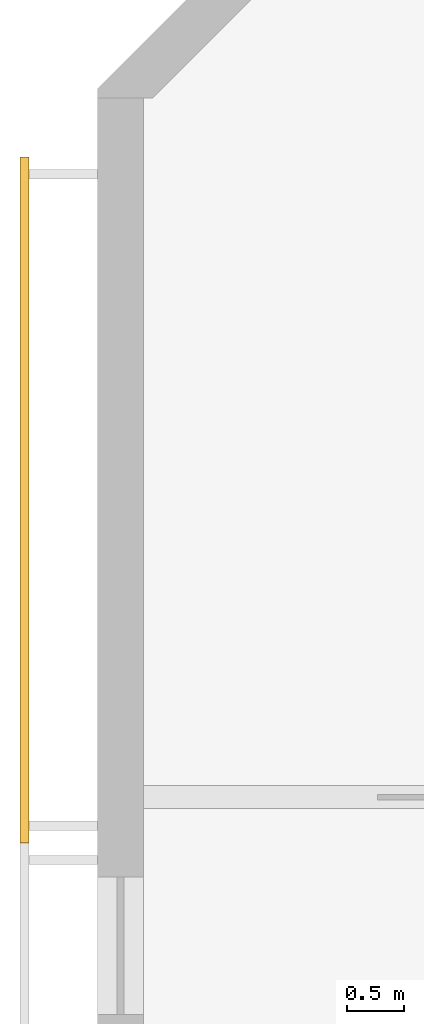
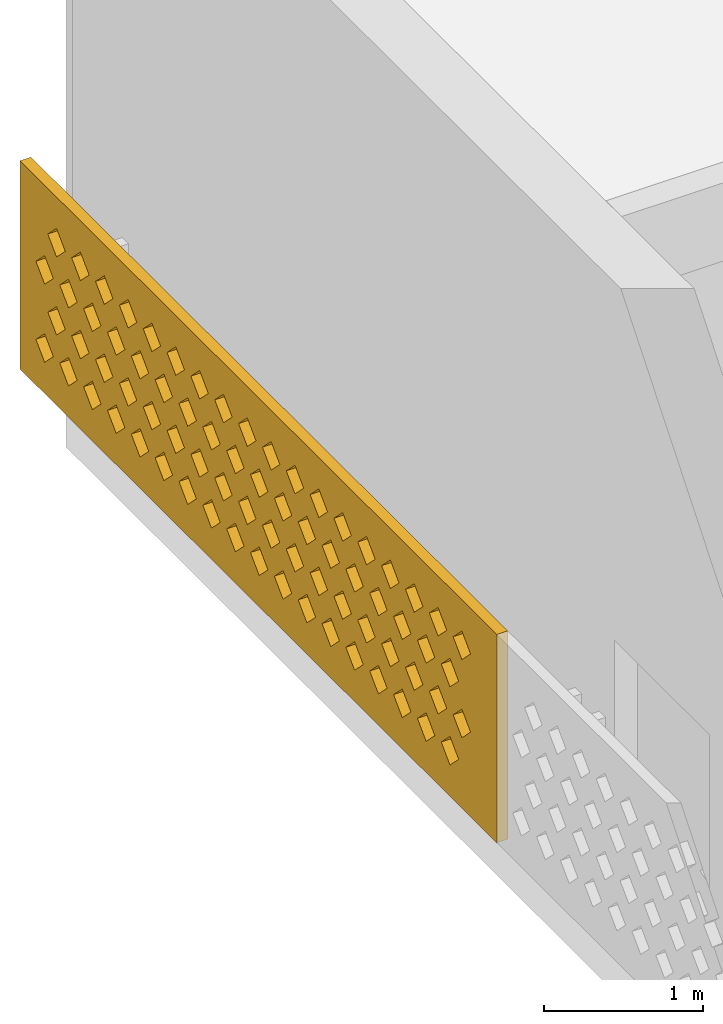
# One storey, part 16 of 18: 1 covering.
"""IFC4 building model written with IfcOpenShell, lengths in metres."""

from ifc_helpers import new_model, si_unit, direction, frame, origin, place, context, subcontext, project, spatial, polyline, outline, extrude, source, transform, mapped, material, material_profile, profile_set, type_object, element, save


model = new_model("IFC4")

# Units and contexts
model_context = context("Model", 3, precision=1e-05, world=origin(), true_north=direction((0.0, 1.0)))
body_context = subcontext(model_context, "Body", "Model", "MODEL_VIEW")
ifc_project = project(units=[si_unit("LENGTHUNIT", "METRE"), si_unit("AREAUNIT", "SQUARE_METRE"), si_unit("VOLUMEUNIT", "CUBIC_METRE"), si_unit("PLANEANGLEUNIT", "RADIAN"), si_unit("MASSUNIT", "GRAM", prefix="KILO")], contexts=[model_context])

# Site, building, storey
site_placement = place(None, origin())
site = spatial("IfcSite", under=ifc_project, at=site_placement, CompositionType="ELEMENT")
building_placement = place(site_placement, origin())
building = spatial("IfcBuilding", under=site, at=building_placement, Name="Poui Terraces", CompositionType="ELEMENT")
storey_placement = place(building_placement, frame((0.0, 0.0, 267.0)))
storey = spatial("IfcBuildingStorey", under=building, at=storey_placement, Name="L74", CompositionType="ELEMENT", Elevation=267.0)

# Covering
ifc_material = material(Name="Terracotta screen", Category="masonry")
ifc_material_profile = material_profile(ifc_material, outline(polyline([(-3.0, -0.800048828125), (3.0, -0.800048828125), (3.0, 0.800048828125), (-3.0, 0.800048828125), (-3.0, -0.800048828125)]), holes=[polyline([(-2.800048828125, -0.449951171875), (-2.68994140625, -0.56005859375), (-2.580078125, -0.449951171875), (-2.68994140625, -0.340087890625), (-2.800048828125, -0.449951171875)]), polyline([(-2.5, -0.449951171875), (-2.389892578125, -0.56005859375), (-2.280029296875, -0.449951171875), (-2.389892578125, -0.340087890625), (-2.5, -0.449951171875)]), polyline([(-2.199951171875, -0.449951171875), (-2.090087890625, -0.56005859375), (-1.97998046875, -0.449951171875), (-2.090087890625, -0.340087890625), (-2.199951171875, -0.449951171875)]), polyline([(-1.89990234375, -0.449951171875), (-1.7900390625, -0.56005859375), (-1.679931640625, -0.449951171875), (-1.7900390625, -0.340087890625), (-1.89990234375, -0.449951171875)]), polyline([(-1.60009765625, -0.449951171875), (-1.489990234375, -0.56005859375), (-1.3798828125, -0.449951171875), (-1.489990234375, -0.340087890625), (-1.60009765625, -0.449951171875)]), polyline([(-1.300048828125, -0.449951171875), (-1.18994140625, -0.56005859375), (-1.080078125, -0.449951171875), (-1.18994140625, -0.340087890625), (-1.300048828125, -0.449951171875)]), polyline([(-1.0, -0.449951171875), (-0.889892578125, -0.56005859375), (-0.780029296875, -0.449951171875), (-0.889892578125, -0.340087890625), (-1.0, -0.449951171875)]), polyline([(-0.699951171875, -0.449951171875), (-0.590087890625, -0.56005859375), (-0.47998046875, -0.449951171875), (-0.590087890625, -0.340087890625), (-0.699951171875, -0.449951171875)]), polyline([(-0.39990234375, -0.449951171875), (-0.2900390625, -0.56005859375), (-0.179931640625, -0.449951171875), (-0.2900390625, -0.340087890625), (-0.39990234375, -0.449951171875)]), polyline([(-0.10009765625, -0.449951171875), (0.010009765625, -0.56005859375), (0.1201171875, -0.449951171875), (0.010009765625, -0.340087890625), (-0.10009765625, -0.449951171875)]), polyline([(0.199951171875, -0.449951171875), (0.31005859375, -0.56005859375), (0.419921875, -0.449951171875), (0.31005859375, -0.340087890625), (0.199951171875, -0.449951171875)]), polyline([(0.5, -0.449951171875), (0.610107421875, -0.56005859375), (0.719970703125, -0.449951171875), (0.610107421875, -0.340087890625), (0.5, -0.449951171875)]), polyline([(0.800048828125, -0.449951171875), (0.909912109375, -0.56005859375), (1.02001953125, -0.449951171875), (0.909912109375, -0.340087890625), (0.800048828125, -0.449951171875)]), polyline([(1.10009765625, -0.449951171875), (1.2099609375, -0.56005859375), (1.320068359375, -0.449951171875), (1.2099609375, -0.340087890625), (1.10009765625, -0.449951171875)]), polyline([(1.39990234375, -0.449951171875), (1.510009765625, -0.56005859375), (1.6201171875, -0.449951171875), (1.510009765625, -0.340087890625), (1.39990234375, -0.449951171875)]), polyline([(1.699951171875, -0.449951171875), (1.81005859375, -0.56005859375), (1.919921875, -0.449951171875), (1.81005859375, -0.340087890625), (1.699951171875, -0.449951171875)]), polyline([(2.0, -0.449951171875), (2.110107421875, -0.56005859375), (2.219970703125, -0.449951171875), (2.110107421875, -0.340087890625), (2.0, -0.449951171875)]), polyline([(2.300048828125, -0.449951171875), (2.409912109375, -0.56005859375), (2.52001953125, -0.449951171875), (2.409912109375, -0.340087890625), (2.300048828125, -0.449951171875)]), polyline([(-2.64990234375, -0.14990234375), (-2.5400390625, -0.260009765625), (-2.429931640625, -0.14990234375), (-2.5400390625, -0.0400390625), (-2.64990234375, -0.14990234375)]), polyline([(-2.35009765625, -0.14990234375), (-2.239990234375, -0.260009765625), (-2.1298828125, -0.14990234375), (-2.239990234375, -0.0400390625), (-2.35009765625, -0.14990234375)]), polyline([(-2.050048828125, -0.14990234375), (-1.93994140625, -0.260009765625), (-1.830078125, -0.14990234375), (-1.93994140625, -0.0400390625), (-2.050048828125, -0.14990234375)]), polyline([(-1.75, -0.14990234375), (-1.639892578125, -0.260009765625), (-1.530029296875, -0.14990234375), (-1.639892578125, -0.0400390625), (-1.75, -0.14990234375)]), polyline([(-1.449951171875, -0.14990234375), (-1.340087890625, -0.260009765625), (-1.22998046875, -0.14990234375), (-1.340087890625, -0.0400390625), (-1.449951171875, -0.14990234375)]), polyline([(-1.14990234375, -0.14990234375), (-1.0400390625, -0.260009765625), (-0.929931640625, -0.14990234375), (-1.0400390625, -0.0400390625), (-1.14990234375, -0.14990234375)]), polyline([(-0.85009765625, -0.14990234375), (-0.739990234375, -0.260009765625), (-0.6298828125, -0.14990234375), (-0.739990234375, -0.0400390625), (-0.85009765625, -0.14990234375)]), polyline([(-0.550048828125, -0.14990234375), (-0.43994140625, -0.260009765625), (-0.330078125, -0.14990234375), (-0.43994140625, -0.0400390625), (-0.550048828125, -0.14990234375)]), polyline([(-0.25, -0.14990234375), (-0.139892578125, -0.260009765625), (-0.030029296875, -0.14990234375), (-0.139892578125, -0.0400390625), (-0.25, -0.14990234375)]), polyline([(0.050048828125, -0.14990234375), (0.159912109375, -0.260009765625), (0.27001953125, -0.14990234375), (0.159912109375, -0.0400390625), (0.050048828125, -0.14990234375)]), polyline([(0.35009765625, -0.14990234375), (0.4599609375, -0.260009765625), (0.570068359375, -0.14990234375), (0.4599609375, -0.0400390625), (0.35009765625, -0.14990234375)]), polyline([(0.64990234375, -0.14990234375), (0.760009765625, -0.260009765625), (0.8701171875, -0.14990234375), (0.760009765625, -0.0400390625), (0.64990234375, -0.14990234375)]), polyline([(0.949951171875, -0.14990234375), (1.06005859375, -0.260009765625), (1.169921875, -0.14990234375), (1.06005859375, -0.0400390625), (0.949951171875, -0.14990234375)]), polyline([(1.25, -0.14990234375), (1.360107421875, -0.260009765625), (1.469970703125, -0.14990234375), (1.360107421875, -0.0400390625), (1.25, -0.14990234375)]), polyline([(1.550048828125, -0.14990234375), (1.659912109375, -0.260009765625), (1.77001953125, -0.14990234375), (1.659912109375, -0.0400390625), (1.550048828125, -0.14990234375)]), polyline([(1.85009765625, -0.14990234375), (1.9599609375, -0.260009765625), (2.070068359375, -0.14990234375), (1.9599609375, -0.0400390625), (1.85009765625, -0.14990234375)]), polyline([(2.14990234375, -0.14990234375), (2.260009765625, -0.260009765625), (2.3701171875, -0.14990234375), (2.260009765625, -0.0400390625), (2.14990234375, -0.14990234375)]), polyline([(2.449951171875, -0.14990234375), (2.56005859375, -0.260009765625), (2.669921875, -0.14990234375), (2.56005859375, -0.0400390625), (2.449951171875, -0.14990234375)]), polyline([(-2.800048828125, 0.14990234375), (-2.68994140625, 0.0400390625), (-2.580078125, 0.14990234375), (-2.68994140625, 0.260009765625), (-2.800048828125, 0.14990234375)]), polyline([(-2.5, 0.14990234375), (-2.389892578125, 0.0400390625), (-2.280029296875, 0.14990234375), (-2.389892578125, 0.260009765625), (-2.5, 0.14990234375)]), polyline([(-2.199951171875, 0.14990234375), (-2.090087890625, 0.0400390625), (-1.97998046875, 0.14990234375), (-2.090087890625, 0.260009765625), (-2.199951171875, 0.14990234375)]), polyline([(-1.89990234375, 0.14990234375), (-1.7900390625, 0.0400390625), (-1.679931640625, 0.14990234375), (-1.7900390625, 0.260009765625), (-1.89990234375, 0.14990234375)]), polyline([(-1.60009765625, 0.14990234375), (-1.489990234375, 0.0400390625), (-1.3798828125, 0.14990234375), (-1.489990234375, 0.260009765625), (-1.60009765625, 0.14990234375)]), polyline([(-1.300048828125, 0.14990234375), (-1.18994140625, 0.0400390625), (-1.080078125, 0.14990234375), (-1.18994140625, 0.260009765625), (-1.300048828125, 0.14990234375)]), polyline([(-1.0, 0.14990234375), (-0.889892578125, 0.0400390625), (-0.780029296875, 0.14990234375), (-0.889892578125, 0.260009765625), (-1.0, 0.14990234375)]), polyline([(-0.699951171875, 0.14990234375), (-0.590087890625, 0.0400390625), (-0.47998046875, 0.14990234375), (-0.590087890625, 0.260009765625), (-0.699951171875, 0.14990234375)]), polyline([(-0.39990234375, 0.14990234375), (-0.2900390625, 0.0400390625), (-0.179931640625, 0.14990234375), (-0.2900390625, 0.260009765625), (-0.39990234375, 0.14990234375)]), polyline([(-0.10009765625, 0.14990234375), (0.010009765625, 0.0400390625), (0.1201171875, 0.14990234375), (0.010009765625, 0.260009765625), (-0.10009765625, 0.14990234375)]), polyline([(0.199951171875, 0.14990234375), (0.31005859375, 0.0400390625), (0.419921875, 0.14990234375), (0.31005859375, 0.260009765625), (0.199951171875, 0.14990234375)]), polyline([(0.5, 0.14990234375), (0.610107421875, 0.0400390625), (0.719970703125, 0.14990234375), (0.610107421875, 0.260009765625), (0.5, 0.14990234375)]), polyline([(0.800048828125, 0.14990234375), (0.909912109375, 0.0400390625), (1.02001953125, 0.14990234375), (0.909912109375, 0.260009765625), (0.800048828125, 0.14990234375)]), polyline([(1.10009765625, 0.14990234375), (1.2099609375, 0.0400390625), (1.320068359375, 0.14990234375), (1.2099609375, 0.260009765625), (1.10009765625, 0.14990234375)]), polyline([(1.39990234375, 0.14990234375), (1.510009765625, 0.0400390625), (1.6201171875, 0.14990234375), (1.510009765625, 0.260009765625), (1.39990234375, 0.14990234375)]), polyline([(1.699951171875, 0.14990234375), (1.81005859375, 0.0400390625), (1.919921875, 0.14990234375), (1.81005859375, 0.260009765625), (1.699951171875, 0.14990234375)]), polyline([(2.0, 0.14990234375), (2.110107421875, 0.0400390625), (2.219970703125, 0.14990234375), (2.110107421875, 0.260009765625), (2.0, 0.14990234375)]), polyline([(2.300048828125, 0.14990234375), (2.409912109375, 0.0400390625), (2.52001953125, 0.14990234375), (2.409912109375, 0.260009765625), (2.300048828125, 0.14990234375)]), polyline([(-2.64990234375, 0.449951171875), (-2.5400390625, 0.340087890625), (-2.429931640625, 0.449951171875), (-2.5400390625, 0.56005859375), (-2.64990234375, 0.449951171875)]), polyline([(-2.35009765625, 0.449951171875), (-2.239990234375, 0.340087890625), (-2.1298828125, 0.449951171875), (-2.239990234375, 0.56005859375), (-2.35009765625, 0.449951171875)]), polyline([(-2.050048828125, 0.449951171875), (-1.93994140625, 0.340087890625), (-1.830078125, 0.449951171875), (-1.93994140625, 0.56005859375), (-2.050048828125, 0.449951171875)]), polyline([(-1.75, 0.449951171875), (-1.639892578125, 0.340087890625), (-1.530029296875, 0.449951171875), (-1.639892578125, 0.56005859375), (-1.75, 0.449951171875)]), polyline([(-1.449951171875, 0.449951171875), (-1.340087890625, 0.340087890625), (-1.22998046875, 0.449951171875), (-1.340087890625, 0.56005859375), (-1.449951171875, 0.449951171875)]), polyline([(-1.14990234375, 0.449951171875), (-1.0400390625, 0.340087890625), (-0.929931640625, 0.449951171875), (-1.0400390625, 0.56005859375), (-1.14990234375, 0.449951171875)]), polyline([(-0.85009765625, 0.449951171875), (-0.739990234375, 0.340087890625), (-0.6298828125, 0.449951171875), (-0.739990234375, 0.56005859375), (-0.85009765625, 0.449951171875)]), polyline([(-0.550048828125, 0.449951171875), (-0.43994140625, 0.340087890625), (-0.330078125, 0.449951171875), (-0.43994140625, 0.56005859375), (-0.550048828125, 0.449951171875)]), polyline([(-0.25, 0.449951171875), (-0.139892578125, 0.340087890625), (-0.030029296875, 0.449951171875), (-0.139892578125, 0.56005859375), (-0.25, 0.449951171875)]), polyline([(0.050048828125, 0.449951171875), (0.159912109375, 0.340087890625), (0.27001953125, 0.449951171875), (0.159912109375, 0.56005859375), (0.050048828125, 0.449951171875)]), polyline([(0.35009765625, 0.449951171875), (0.4599609375, 0.340087890625), (0.570068359375, 0.449951171875), (0.4599609375, 0.56005859375), (0.35009765625, 0.449951171875)]), polyline([(0.64990234375, 0.449951171875), (0.760009765625, 0.340087890625), (0.8701171875, 0.449951171875), (0.760009765625, 0.56005859375), (0.64990234375, 0.449951171875)]), polyline([(0.949951171875, 0.449951171875), (1.06005859375, 0.340087890625), (1.169921875, 0.449951171875), (1.06005859375, 0.56005859375), (0.949951171875, 0.449951171875)]), polyline([(1.25, 0.449951171875), (1.360107421875, 0.340087890625), (1.469970703125, 0.449951171875), (1.360107421875, 0.56005859375), (1.25, 0.449951171875)]), polyline([(1.550048828125, 0.449951171875), (1.659912109375, 0.340087890625), (1.77001953125, 0.449951171875), (1.659912109375, 0.56005859375), (1.550048828125, 0.449951171875)]), polyline([(1.85009765625, 0.449951171875), (1.9599609375, 0.340087890625), (2.070068359375, 0.449951171875), (1.9599609375, 0.56005859375), (1.85009765625, 0.449951171875)]), polyline([(2.14990234375, 0.449951171875), (2.260009765625, 0.340087890625), (2.3701171875, 0.449951171875), (2.260009765625, 0.56005859375), (2.14990234375, 0.449951171875)]), polyline([(2.449951171875, 0.449951171875), (2.56005859375, 0.340087890625), (2.669921875, 0.449951171875), (2.56005859375, 0.56005859375), (2.449951171875, 0.449951171875)])]), Name="TERRACOTTA SOLAR SCREEN 6000X1600")
ifc_profile_set = profile_set([ifc_material_profile], Name="Terracotta screen")
covering_type = type_object("IfcCoveringType", Name="TERRACOTTA SOLAR SCREEN 6000X1600", PredefinedType="CLADDING", material=ifc_profile_set)
shared_shape = source(origin(), body_context, "Body", "SweptSolid", [
    extrude(outline(polyline([(-3.0, -0.800048828125), (3.0, -0.800048828125), (3.0, 0.800048828125), (-3.0, 0.800048828125), (-3.0, -0.800048828125)]), holes=[polyline([(-2.800048828125, -0.449951171875), (-2.68994140625, -0.56005859375), (-2.580078125, -0.449951171875), (-2.68994140625, -0.340087890625), (-2.800048828125, -0.449951171875)]), polyline([(-2.5, -0.449951171875), (-2.389892578125, -0.56005859375), (-2.280029296875, -0.449951171875), (-2.389892578125, -0.340087890625), (-2.5, -0.449951171875)]), polyline([(-2.199951171875, -0.449951171875), (-2.090087890625, -0.56005859375), (-1.97998046875, -0.449951171875), (-2.090087890625, -0.340087890625), (-2.199951171875, -0.449951171875)]), polyline([(-1.89990234375, -0.449951171875), (-1.7900390625, -0.56005859375), (-1.679931640625, -0.449951171875), (-1.7900390625, -0.340087890625), (-1.89990234375, -0.449951171875)]), polyline([(-1.60009765625, -0.449951171875), (-1.489990234375, -0.56005859375), (-1.3798828125, -0.449951171875), (-1.489990234375, -0.340087890625), (-1.60009765625, -0.449951171875)]), polyline([(-1.300048828125, -0.449951171875), (-1.18994140625, -0.56005859375), (-1.080078125, -0.449951171875), (-1.18994140625, -0.340087890625), (-1.300048828125, -0.449951171875)]), polyline([(-1.0, -0.449951171875), (-0.889892578125, -0.56005859375), (-0.780029296875, -0.449951171875), (-0.889892578125, -0.340087890625), (-1.0, -0.449951171875)]), polyline([(-0.699951171875, -0.449951171875), (-0.590087890625, -0.56005859375), (-0.47998046875, -0.449951171875), (-0.590087890625, -0.340087890625), (-0.699951171875, -0.449951171875)]), polyline([(-0.39990234375, -0.449951171875), (-0.2900390625, -0.56005859375), (-0.179931640625, -0.449951171875), (-0.2900390625, -0.340087890625), (-0.39990234375, -0.449951171875)]), polyline([(-0.10009765625, -0.449951171875), (0.010009765625, -0.56005859375), (0.1201171875, -0.449951171875), (0.010009765625, -0.340087890625), (-0.10009765625, -0.449951171875)]), polyline([(0.199951171875, -0.449951171875), (0.31005859375, -0.56005859375), (0.419921875, -0.449951171875), (0.31005859375, -0.340087890625), (0.199951171875, -0.449951171875)]), polyline([(0.5, -0.449951171875), (0.610107421875, -0.56005859375), (0.719970703125, -0.449951171875), (0.610107421875, -0.340087890625), (0.5, -0.449951171875)]), polyline([(0.800048828125, -0.449951171875), (0.909912109375, -0.56005859375), (1.02001953125, -0.449951171875), (0.909912109375, -0.340087890625), (0.800048828125, -0.449951171875)]), polyline([(1.10009765625, -0.449951171875), (1.2099609375, -0.56005859375), (1.320068359375, -0.449951171875), (1.2099609375, -0.340087890625), (1.10009765625, -0.449951171875)]), polyline([(1.39990234375, -0.449951171875), (1.510009765625, -0.56005859375), (1.6201171875, -0.449951171875), (1.510009765625, -0.340087890625), (1.39990234375, -0.449951171875)]), polyline([(1.699951171875, -0.449951171875), (1.81005859375, -0.56005859375), (1.919921875, -0.449951171875), (1.81005859375, -0.340087890625), (1.699951171875, -0.449951171875)]), polyline([(2.0, -0.449951171875), (2.110107421875, -0.56005859375), (2.219970703125, -0.449951171875), (2.110107421875, -0.340087890625), (2.0, -0.449951171875)]), polyline([(2.300048828125, -0.449951171875), (2.409912109375, -0.56005859375), (2.52001953125, -0.449951171875), (2.409912109375, -0.340087890625), (2.300048828125, -0.449951171875)]), polyline([(-2.64990234375, -0.14990234375), (-2.5400390625, -0.260009765625), (-2.429931640625, -0.14990234375), (-2.5400390625, -0.0400390625), (-2.64990234375, -0.14990234375)]), polyline([(-2.35009765625, -0.14990234375), (-2.239990234375, -0.260009765625), (-2.1298828125, -0.14990234375), (-2.239990234375, -0.0400390625), (-2.35009765625, -0.14990234375)]), polyline([(-2.050048828125, -0.14990234375), (-1.93994140625, -0.260009765625), (-1.830078125, -0.14990234375), (-1.93994140625, -0.0400390625), (-2.050048828125, -0.14990234375)]), polyline([(-1.75, -0.14990234375), (-1.639892578125, -0.260009765625), (-1.530029296875, -0.14990234375), (-1.639892578125, -0.0400390625), (-1.75, -0.14990234375)]), polyline([(-1.449951171875, -0.14990234375), (-1.340087890625, -0.260009765625), (-1.22998046875, -0.14990234375), (-1.340087890625, -0.0400390625), (-1.449951171875, -0.14990234375)]), polyline([(-1.14990234375, -0.14990234375), (-1.0400390625, -0.260009765625), (-0.929931640625, -0.14990234375), (-1.0400390625, -0.0400390625), (-1.14990234375, -0.14990234375)]), polyline([(-0.85009765625, -0.14990234375), (-0.739990234375, -0.260009765625), (-0.6298828125, -0.14990234375), (-0.739990234375, -0.0400390625), (-0.85009765625, -0.14990234375)]), polyline([(-0.550048828125, -0.14990234375), (-0.43994140625, -0.260009765625), (-0.330078125, -0.14990234375), (-0.43994140625, -0.0400390625), (-0.550048828125, -0.14990234375)]), polyline([(-0.25, -0.14990234375), (-0.139892578125, -0.260009765625), (-0.030029296875, -0.14990234375), (-0.139892578125, -0.0400390625), (-0.25, -0.14990234375)]), polyline([(0.050048828125, -0.14990234375), (0.159912109375, -0.260009765625), (0.27001953125, -0.14990234375), (0.159912109375, -0.0400390625), (0.050048828125, -0.14990234375)]), polyline([(0.35009765625, -0.14990234375), (0.4599609375, -0.260009765625), (0.570068359375, -0.14990234375), (0.4599609375, -0.0400390625), (0.35009765625, -0.14990234375)]), polyline([(0.64990234375, -0.14990234375), (0.760009765625, -0.260009765625), (0.8701171875, -0.14990234375), (0.760009765625, -0.0400390625), (0.64990234375, -0.14990234375)]), polyline([(0.949951171875, -0.14990234375), (1.06005859375, -0.260009765625), (1.169921875, -0.14990234375), (1.06005859375, -0.0400390625), (0.949951171875, -0.14990234375)]), polyline([(1.25, -0.14990234375), (1.360107421875, -0.260009765625), (1.469970703125, -0.14990234375), (1.360107421875, -0.0400390625), (1.25, -0.14990234375)]), polyline([(1.550048828125, -0.14990234375), (1.659912109375, -0.260009765625), (1.77001953125, -0.14990234375), (1.659912109375, -0.0400390625), (1.550048828125, -0.14990234375)]), polyline([(1.85009765625, -0.14990234375), (1.9599609375, -0.260009765625), (2.070068359375, -0.14990234375), (1.9599609375, -0.0400390625), (1.85009765625, -0.14990234375)]), polyline([(2.14990234375, -0.14990234375), (2.260009765625, -0.260009765625), (2.3701171875, -0.14990234375), (2.260009765625, -0.0400390625), (2.14990234375, -0.14990234375)]), polyline([(2.449951171875, -0.14990234375), (2.56005859375, -0.260009765625), (2.669921875, -0.14990234375), (2.56005859375, -0.0400390625), (2.449951171875, -0.14990234375)]), polyline([(-2.800048828125, 0.14990234375), (-2.68994140625, 0.0400390625), (-2.580078125, 0.14990234375), (-2.68994140625, 0.260009765625), (-2.800048828125, 0.14990234375)]), polyline([(-2.5, 0.14990234375), (-2.389892578125, 0.0400390625), (-2.280029296875, 0.14990234375), (-2.389892578125, 0.260009765625), (-2.5, 0.14990234375)]), polyline([(-2.199951171875, 0.14990234375), (-2.090087890625, 0.0400390625), (-1.97998046875, 0.14990234375), (-2.090087890625, 0.260009765625), (-2.199951171875, 0.14990234375)]), polyline([(-1.89990234375, 0.14990234375), (-1.7900390625, 0.0400390625), (-1.679931640625, 0.14990234375), (-1.7900390625, 0.260009765625), (-1.89990234375, 0.14990234375)]), polyline([(-1.60009765625, 0.14990234375), (-1.489990234375, 0.0400390625), (-1.3798828125, 0.14990234375), (-1.489990234375, 0.260009765625), (-1.60009765625, 0.14990234375)]), polyline([(-1.300048828125, 0.14990234375), (-1.18994140625, 0.0400390625), (-1.080078125, 0.14990234375), (-1.18994140625, 0.260009765625), (-1.300048828125, 0.14990234375)]), polyline([(-1.0, 0.14990234375), (-0.889892578125, 0.0400390625), (-0.780029296875, 0.14990234375), (-0.889892578125, 0.260009765625), (-1.0, 0.14990234375)]), polyline([(-0.699951171875, 0.14990234375), (-0.590087890625, 0.0400390625), (-0.47998046875, 0.14990234375), (-0.590087890625, 0.260009765625), (-0.699951171875, 0.14990234375)]), polyline([(-0.39990234375, 0.14990234375), (-0.2900390625, 0.0400390625), (-0.179931640625, 0.14990234375), (-0.2900390625, 0.260009765625), (-0.39990234375, 0.14990234375)]), polyline([(-0.10009765625, 0.14990234375), (0.010009765625, 0.0400390625), (0.1201171875, 0.14990234375), (0.010009765625, 0.260009765625), (-0.10009765625, 0.14990234375)]), polyline([(0.199951171875, 0.14990234375), (0.31005859375, 0.0400390625), (0.419921875, 0.14990234375), (0.31005859375, 0.260009765625), (0.199951171875, 0.14990234375)]), polyline([(0.5, 0.14990234375), (0.610107421875, 0.0400390625), (0.719970703125, 0.14990234375), (0.610107421875, 0.260009765625), (0.5, 0.14990234375)]), polyline([(0.800048828125, 0.14990234375), (0.909912109375, 0.0400390625), (1.02001953125, 0.14990234375), (0.909912109375, 0.260009765625), (0.800048828125, 0.14990234375)]), polyline([(1.10009765625, 0.14990234375), (1.2099609375, 0.0400390625), (1.320068359375, 0.14990234375), (1.2099609375, 0.260009765625), (1.10009765625, 0.14990234375)]), polyline([(1.39990234375, 0.14990234375), (1.510009765625, 0.0400390625), (1.6201171875, 0.14990234375), (1.510009765625, 0.260009765625), (1.39990234375, 0.14990234375)]), polyline([(1.699951171875, 0.14990234375), (1.81005859375, 0.0400390625), (1.919921875, 0.14990234375), (1.81005859375, 0.260009765625), (1.699951171875, 0.14990234375)]), polyline([(2.0, 0.14990234375), (2.110107421875, 0.0400390625), (2.219970703125, 0.14990234375), (2.110107421875, 0.260009765625), (2.0, 0.14990234375)]), polyline([(2.300048828125, 0.14990234375), (2.409912109375, 0.0400390625), (2.52001953125, 0.14990234375), (2.409912109375, 0.260009765625), (2.300048828125, 0.14990234375)]), polyline([(-2.64990234375, 0.449951171875), (-2.5400390625, 0.340087890625), (-2.429931640625, 0.449951171875), (-2.5400390625, 0.56005859375), (-2.64990234375, 0.449951171875)]), polyline([(-2.35009765625, 0.449951171875), (-2.239990234375, 0.340087890625), (-2.1298828125, 0.449951171875), (-2.239990234375, 0.56005859375), (-2.35009765625, 0.449951171875)]), polyline([(-2.050048828125, 0.449951171875), (-1.93994140625, 0.340087890625), (-1.830078125, 0.449951171875), (-1.93994140625, 0.56005859375), (-2.050048828125, 0.449951171875)]), polyline([(-1.75, 0.449951171875), (-1.639892578125, 0.340087890625), (-1.530029296875, 0.449951171875), (-1.639892578125, 0.56005859375), (-1.75, 0.449951171875)]), polyline([(-1.449951171875, 0.449951171875), (-1.340087890625, 0.340087890625), (-1.22998046875, 0.449951171875), (-1.340087890625, 0.56005859375), (-1.449951171875, 0.449951171875)]), polyline([(-1.14990234375, 0.449951171875), (-1.0400390625, 0.340087890625), (-0.929931640625, 0.449951171875), (-1.0400390625, 0.56005859375), (-1.14990234375, 0.449951171875)]), polyline([(-0.85009765625, 0.449951171875), (-0.739990234375, 0.340087890625), (-0.6298828125, 0.449951171875), (-0.739990234375, 0.56005859375), (-0.85009765625, 0.449951171875)]), polyline([(-0.550048828125, 0.449951171875), (-0.43994140625, 0.340087890625), (-0.330078125, 0.449951171875), (-0.43994140625, 0.56005859375), (-0.550048828125, 0.449951171875)]), polyline([(-0.25, 0.449951171875), (-0.139892578125, 0.340087890625), (-0.030029296875, 0.449951171875), (-0.139892578125, 0.56005859375), (-0.25, 0.449951171875)]), polyline([(0.050048828125, 0.449951171875), (0.159912109375, 0.340087890625), (0.27001953125, 0.449951171875), (0.159912109375, 0.56005859375), (0.050048828125, 0.449951171875)]), polyline([(0.35009765625, 0.449951171875), (0.4599609375, 0.340087890625), (0.570068359375, 0.449951171875), (0.4599609375, 0.56005859375), (0.35009765625, 0.449951171875)]), polyline([(0.64990234375, 0.449951171875), (0.760009765625, 0.340087890625), (0.8701171875, 0.449951171875), (0.760009765625, 0.56005859375), (0.64990234375, 0.449951171875)]), polyline([(0.949951171875, 0.449951171875), (1.06005859375, 0.340087890625), (1.169921875, 0.449951171875), (1.06005859375, 0.56005859375), (0.949951171875, 0.449951171875)]), polyline([(1.25, 0.449951171875), (1.360107421875, 0.340087890625), (1.469970703125, 0.449951171875), (1.360107421875, 0.56005859375), (1.25, 0.449951171875)]), polyline([(1.550048828125, 0.449951171875), (1.659912109375, 0.340087890625), (1.77001953125, 0.449951171875), (1.659912109375, 0.56005859375), (1.550048828125, 0.449951171875)]), polyline([(1.85009765625, 0.449951171875), (1.9599609375, 0.340087890625), (2.070068359375, 0.449951171875), (1.9599609375, 0.56005859375), (1.85009765625, 0.449951171875)]), polyline([(2.14990234375, 0.449951171875), (2.260009765625, 0.340087890625), (2.3701171875, 0.449951171875), (2.260009765625, 0.56005859375), (2.14990234375, 0.449951171875)]), polyline([(2.449951171875, 0.449951171875), (2.56005859375, 0.340087890625), (2.669921875, 0.449951171875), (2.56005859375, 0.56005859375), (2.449951171875, 0.449951171875)])]), origin(), (0.0, 0.0, 1.0), 0.079833984375),
])
covering_placement = place(storey_placement, frame((17.199951171875, 33.0, 1.699951171875), z_axis=(-1.0, 0.0, 0.0), x_axis=(0.0, -1.0, 0.0)))
element("IfcCovering", 1, at=covering_placement, inside=storey, type_object=covering_type, Name="SOLAR SCREEN", PredefinedType="CLADDING", context=body_context, shape_type="MappedRepresentation", body=[
    mapped(shared_shape, transform((0.0, 0.0, 0.0))),
])

save(model, "model.ifc")
